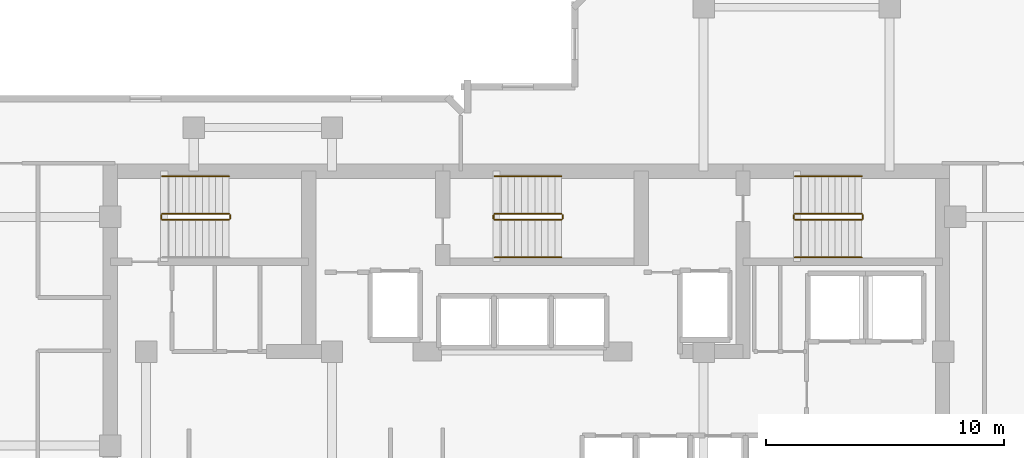
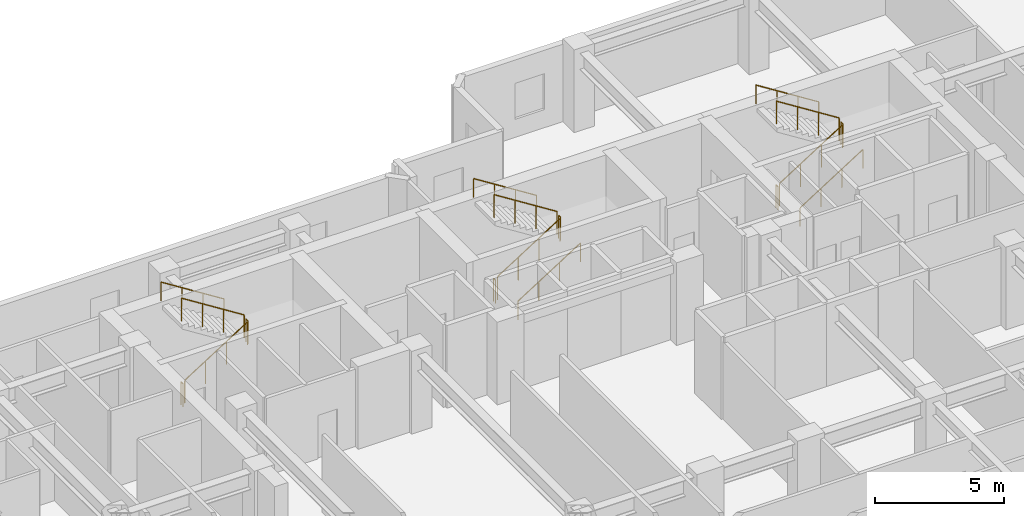
# One storey, part 11 of 11: 17 railings.
"""IFC4 building model written with IfcOpenShell, lengths in metres."""

import ifcopenshell
import ifcopenshell.guid

model = None  # the IFC model being written
_history = None  # IfcOwnerHistory: only IFC2X3 demands one
_inside = {}  # id of a spatial element -> (the spatial element, [elements in it])
_under = {}  # id of a project, library or spatial element -> (it, [spatial elements below it])
_declared = {}  # id of a project -> (the project, [libraries it declares])
_typed = {}  # id of a type object -> (the type object, [elements of that type])
_made_of = {}  # id of a material, layer set ... -> (it, [elements and type objects made of it])


def new_model(schema):
    """Start an empty IFC model of exactly this schema.

    Asked for "IFC4X3", IfcOpenShell would pick the latest addendum, in which some entities
    have other attributes; the version numbers below select the first issue.
    IFC2X3 requires an IfcOwnerHistory on every rooted entity: one is made here for all.
    """
    global model, _history
    if schema == "IFC4X3":
        model = ifcopenshell.file(schema_version=(4, 3, 0, 0))
    else:
        model = ifcopenshell.file(schema=schema)
    _inside.clear()
    _under.clear()
    _declared.clear()
    _typed.clear()
    _made_of.clear()
    _history = None
    if model.schema == "IFC2X3":
        org = make("IfcOrganization", Name="unknown")
        user = make(
            "IfcPersonAndOrganization",
            ThePerson=make("IfcPerson", FamilyName="unknown"),
            TheOrganization=org,
        )
        app = make(
            "IfcApplication",
            ApplicationDeveloper=org,
            Version="unknown",
            ApplicationFullName="unknown",
            ApplicationIdentifier="unknown",
        )
        _history = make(
            "IfcOwnerHistory",
            OwningUser=user,
            OwningApplication=app,
            ChangeAction="ADDED",
            CreationDate=0,
        )
    return model


def make(cls, **values):
    """One entity of the class cls with the attributes given. An attribute that is None is left unset."""
    return model.create_entity(
        cls, **{name: value for name, value in values.items() if value is not None}
    )


def rooted(cls, **values):
    """An entity with a GlobalId (a new one), such as an element, a storey or a relation."""
    return make(cls, GlobalId=ifcopenshell.guid.new(), OwnerHistory=_history, **values)


def si_unit(unit_type, name, prefix=None):
    """IfcSIUnit, for example si_unit("LENGTHUNIT", "METRE", prefix="MILLI")."""
    return make("IfcSIUnit", UnitType=unit_type, Prefix=prefix, Name=name)


def assignment(units):
    """IfcUnitAssignment: the units of a project."""
    return None if units is None else make("IfcUnitAssignment", Units=units)


def point(xyz):
    """IfcCartesianPoint."""
    return None if xyz is None else make("IfcCartesianPoint", Coordinates=xyz)


def direction(xyz):
    """IfcDirection."""
    return None if xyz is None else make("IfcDirection", DirectionRatios=xyz)


def frame(location, z_axis=None, x_axis=None):
    """IfcAxis2Placement3D, a coordinate frame: its origin and axes. An axis left out is left unset."""
    return make(
        "IfcAxis2Placement3D",
        Location=point(location),
        Axis=direction(z_axis),
        RefDirection=direction(x_axis),
    )


def frame_2d(location, x_axis=None):
    """IfcAxis2Placement2D, a coordinate frame in the plane: its origin and x axis."""
    return make(
        "IfcAxis2Placement2D", Location=point(location), RefDirection=direction(x_axis)
    )


def origin():
    """The frame at (0, 0, 0) with its axes left unset."""
    return frame((0.0, 0.0, 0.0))


def origin_2d():
    """The frame at (0, 0) in the plane with its x axis left unset."""
    return frame_2d((0.0, 0.0))


def place(relative_to, where):
    """IfcLocalPlacement: puts the frame where relative to a parent placement (None: the world)."""
    return make(
        "IfcLocalPlacement", PlacementRelTo=relative_to, RelativePlacement=where
    )


def context(
    kind, dimensions, precision=None, world=None, true_north=None, identifier=None
):
    """IfcGeometricRepresentationContext, for example the 3D "Model" context."""
    return make(
        "IfcGeometricRepresentationContext",
        ContextIdentifier=identifier,
        ContextType=kind,
        CoordinateSpaceDimension=dimensions,
        Precision=precision,
        WorldCoordinateSystem=world,
        TrueNorth=true_north,
    )


def subcontext(parent, identifier, kind, view, scale=None):
    """IfcGeometricRepresentationSubContext, for example "Body" below "Model"."""
    return make(
        "IfcGeometricRepresentationSubContext",
        ContextIdentifier=identifier,
        ContextType=kind,
        ParentContext=parent,
        TargetScale=scale,
        TargetView=view,
    )


def project(units=None, contexts=None):
    """IfcProject with its units and contexts."""
    return rooted(
        "IfcProject",
        Name="project",
        RepresentationContexts=contexts,
        UnitsInContext=assignment(units),
    )


def spatial(cls, under=None, at=None, **own):
    """A site, building, storey or space (cls), placed at a placement, below another one or the project."""
    s = rooted(cls, ObjectPlacement=at, **own)
    if under is not None:
        _under.setdefault(under.id(), (under, []))[1].append(s)
    return s


def profile(cls, at=None, kind="AREA", **sizes):
    """A parametric profile (cls). Its sizes go by their IFC names, for example OverallWidth=200.0."""
    return make(cls, ProfileType=kind, Position=at, **sizes)


def circle(**sizes):
    """IfcCircleProfileDef."""
    return profile("IfcCircleProfileDef", **sizes)


def extrude(swept, where, along, depth):
    """IfcExtrudedAreaSolid: the profile swept, set in the frame where, extruded along a direction by depth."""
    return make(
        "IfcExtrudedAreaSolid",
        SweptArea=swept,
        Position=where,
        ExtrudedDirection=direction(along),
        Depth=depth,
    )


def shape(context_of_items, identifier, shape_type, items):
    """IfcShapeRepresentation: the items that make up one representation, for example the "Body"."""
    return make(
        "IfcShapeRepresentation",
        ContextOfItems=context_of_items,
        RepresentationIdentifier=identifier,
        RepresentationType=shape_type,
        Items=items,
    )


def material(Name=None, Category=None):
    """IfcMaterial."""
    return make("IfcMaterial", Name=Name, Category=Category)


def made_of(thing, what):
    """Note that an element or type object is made of a material, layer set ...; save() writes the relation."""
    if what is not None:
        _made_of.setdefault(what.id(), (what, []))[1].append(thing)
    return thing


def type_object(cls, material=None, **own):
    """A type object (cls), such as IfcWallType, which elements share."""
    return made_of(rooted(cls, **own), material)


def element(
    cls,
    number,
    at=None,
    inside=None,
    cuts=None,
    type_object=None,
    material=None,
    context=None,
    identifier="Body",
    shape_type=None,
    held_by="IfcProductDefinitionShape",
    body=None,
    shapes=None,
    **own,
):
    """One element of the class cls, such as IfcWall. Its Tag is "e" and its number.

    at: its placement. inside: the storey or other place that contains it. cuts: it is an
    opening in that element (IfcRelVoidsElement). A single representation is given by context,
    identifier, shape_type and body (its items); several are given by shapes. held_by: the class
    of the entity that holds the representations. save() writes the other relations.
    """
    e = rooted(cls, Tag="e%d" % number, ObjectPlacement=at, **own)
    if body is not None:
        shapes = [shape(context, identifier, shape_type, body)]
    if shapes is not None:
        e.Representation = make(held_by, Representations=shapes)
    if inside is not None:
        _inside.setdefault(inside.id(), (inside, []))[1].append(e)
    if cuts is not None:
        rooted(
            "IfcRelVoidsElement", RelatingBuildingElement=cuts, RelatedOpeningElement=e
        )
    if type_object is not None:
        _typed.setdefault(type_object.id(), (type_object, []))[1].append(e)
    return made_of(e, material)


def aggregate(whole, parts):
    """IfcRelAggregates: a whole, such as a stair, and the parts it consists of."""
    return rooted("IfcRelAggregates", RelatingObject=whole, RelatedObjects=parts)


def save(model, path):
    """Write the relations noted so far, then the file.

    IfcRelAggregates (storeys below a building ...), IfcRelContainedInSpatialStructure (elements
    in a storey), IfcRelDefinesByType, IfcRelAssociatesMaterial and IfcRelDeclares: one each for
    every whole, place, type object, material and project.
    """
    for whole, parts in _under.values():
        aggregate(whole, parts)
    for where, things in _inside.values():
        rooted(
            "IfcRelContainedInSpatialStructure",
            RelatedElements=things,
            RelatingStructure=where,
        )
    for kind, things in _typed.values():
        rooted("IfcRelDefinesByType", RelatedObjects=things, RelatingType=kind)
    for what, things in _made_of.values():
        rooted("IfcRelAssociatesMaterial", RelatedObjects=things, RelatingMaterial=what)
    for by, libraries in _declared.values():
        rooted("IfcRelDeclares", RelatingContext=by, RelatedDefinitions=libraries)
    model.write(path)


model = new_model("IFC4")

# Units and contexts
model_context = context("Model", 3, precision=1e-05, world=origin(), true_north=direction((0.0, 1.0)))
body_context = subcontext(model_context, "Body", "Model", "MODEL_VIEW")
ifc_project = project(units=[si_unit("LENGTHUNIT", "METRE"), si_unit("AREAUNIT", "SQUARE_METRE"), si_unit("VOLUMEUNIT", "CUBIC_METRE"), si_unit("PLANEANGLEUNIT", "RADIAN"), si_unit("MASSUNIT", "GRAM", prefix="KILO")], contexts=[model_context])

# Site, building, storey
site_placement = place(None, origin())
site = spatial("IfcSite", under=ifc_project, at=site_placement, CompositionType="ELEMENT")
building_placement = place(site_placement, origin())
building = spatial("IfcBuilding", under=site, at=building_placement, Name="Kestravale Grand Hotel", CompositionType="ELEMENT")
storey_placement = place(building_placement, frame((0.0, 0.0, 204.60009765625)))
storey = spatial("IfcBuildingStorey", under=building, at=storey_placement, Name="L51", CompositionType="ELEMENT", Elevation=204.60009765625)

# Railings
ifc_material_1 = material(Name="Painted tubular steel stair well guard", Category="steel")
railing_type_1 = type_object("IfcRailingType", Name="RL-ST-GRD1100", PredefinedType="GUARDRAIL", material=ifc_material_1)
railing_1_placement = place(storey_placement, frame((24.080078125, 38.280029296875, 0.17724609375)))
element("IfcRailing", 1, at=railing_1_placement, inside=storey, type_object=railing_type_1, Name="L51 ST-1 stair guard 1", PredefinedType="GUARDRAIL", context=body_context, shape_type="SweptSolid", body=[
    extrude(circle(Radius=0.02392578125, at=origin_2d()), frame((0.0, 0.0, 1.076171875), z_axis=(0.844887892834, 0.0, 0.53494340686), x_axis=(0.0, 1.0, 0.0)), (0.0, 0.0, 1.0), 3.313720703125),
    extrude(circle(Radius=0.02099609375, at=origin_2d()), origin(), (0.0, 0.0, 1.0), 1.052001953125),
    extrude(circle(Radius=0.02099609375, at=origin_2d()), frame((0.933349609375, 0.0, 0.5908203125)), (0.0, 0.0, 1.0), 1.052001953125),
    extrude(circle(Radius=0.02099609375, at=origin_2d()), frame((1.866455078125, 0.0, 1.181884765625)), (0.0, 0.0, 1.0), 1.052001953125),
    extrude(circle(Radius=0.02099609375, at=origin_2d()), frame((2.7998046875, 0.0, 1.772705078125)), (0.0, 0.0, 1.0), 1.052001953125),
])
railing_2_placement = place(storey_placement, frame((26.929931640625, 38.330078125, 1.949951171875)))
element("IfcRailing", 2, at=railing_2_placement, inside=storey, type_object=railing_type_1, Name="L51 ST-1 stair guard 2", PredefinedType="GUARDRAIL", context=body_context, shape_type="SweptSolid", body=[
    extrude(circle(Radius=0.02392578125, at=origin_2d()), frame((0.0, 0.0, 1.076171875), z_axis=(0.0, 1.0, 0.0), x_axis=(-1.0, 0.0, 0.0)), (0.0, 0.0, 1.0), 0.14990234375),
    extrude(circle(Radius=0.02099609375, at=origin_2d()), origin(), (0.0, 0.0, 1.0), 1.052001953125),
    extrude(circle(Radius=0.02099609375, at=origin_2d()), frame((0.0, 0.14990234375, 0.0)), (0.0, 0.0, 1.0), 1.052001953125),
])
railing_3_placement = place(storey_placement, frame((26.8798828125, 38.530029296875, 2.127197265625)))
element("IfcRailing", 3, at=railing_3_placement, inside=storey, type_object=railing_type_1, Name="L51 ST-1 stair guard 3", PredefinedType="GUARDRAIL", context=body_context, shape_type="SweptSolid", body=[
    extrude(circle(Radius=0.02392578125, at=origin_2d()), frame((0.0, 0.0, 1.076171875), z_axis=(-0.844887892834, 0.0, 0.53494340686), x_axis=(0.0, -1.0, 0.0)), (0.0, 0.0, 1.0), 3.313720703125),
    extrude(circle(Radius=0.02099609375, at=origin_2d()), origin(), (0.0, 0.0, 1.0), 1.052001953125),
    extrude(circle(Radius=0.02099609375, at=origin_2d()), frame((-0.933349609375, 0.0, 0.5908203125)), (0.0, 0.0, 1.0), 1.052001953125),
    extrude(circle(Radius=0.02099609375, at=origin_2d()), frame((-1.866455078125, 0.0, 1.181884765625)), (0.0, 0.0, 1.0), 1.052001953125),
    extrude(circle(Radius=0.02099609375, at=origin_2d()), frame((-2.7998046875, 0.0, 1.772705078125)), (0.0, 0.0, 1.0), 1.052001953125),
])
railing_4_placement = place(storey_placement, frame((24.030029296875, 38.330078125, 0.0)))
element("IfcRailing", 4, at=railing_4_placement, inside=storey, type_object=railing_type_1, Name="L51 ST-1 stair guard 4", PredefinedType="GUARDRAIL", context=body_context, shape_type="SweptSolid", body=[
    extrude(circle(Radius=0.02392578125, at=origin_2d()), frame((0.0, 0.0, 1.076171875), z_axis=(0.0, 1.0, 0.0), x_axis=(-1.0, 0.0, 0.0)), (0.0, 0.0, 1.0), 0.14990234375),
    extrude(circle(Radius=0.02099609375, at=origin_2d()), origin(), (0.0, 0.0, 1.0), 1.052001953125),
    extrude(circle(Radius=0.02099609375, at=origin_2d()), frame((0.0, 0.14990234375, 0.0)), (0.0, 0.0, 1.0), 1.052001953125),
])
railing_5_placement = place(storey_placement, frame((38.030029296875, 38.280029296875, 0.17724609375)))
element("IfcRailing", 5, at=railing_5_placement, inside=storey, type_object=railing_type_1, Name="L51 ST-2 stair guard 1", PredefinedType="GUARDRAIL", context=body_context, shape_type="SweptSolid", body=[
    extrude(circle(Radius=0.02392578125, at=origin_2d()), frame((0.0, 0.0, 1.076171875), z_axis=(0.844908973607, 0.0, 0.534910110503), x_axis=(0.0, 1.0, 0.0)), (0.0, 0.0, 1.0), 3.31396484375),
    extrude(circle(Radius=0.02099609375, at=origin_2d()), origin(), (0.0, 0.0, 1.0), 1.052001953125),
    extrude(circle(Radius=0.02099609375, at=origin_2d()), frame((0.933349609375, 0.0, 0.5908203125)), (0.0, 0.0, 1.0), 1.052001953125),
    extrude(circle(Radius=0.02099609375, at=origin_2d()), frame((1.86669921875, 0.0, 1.181884765625)), (0.0, 0.0, 1.0), 1.052001953125),
    extrude(circle(Radius=0.02099609375, at=origin_2d()), frame((2.800048828125, 0.0, 1.772705078125)), (0.0, 0.0, 1.0), 1.052001953125),
])
railing_6_placement = place(storey_placement, frame((40.8798828125, 38.330078125, 1.949951171875)))
element("IfcRailing", 6, at=railing_6_placement, inside=storey, type_object=railing_type_1, Name="L51 ST-2 stair guard 2", PredefinedType="GUARDRAIL", context=body_context, shape_type="SweptSolid", body=[
    extrude(circle(Radius=0.02392578125, at=origin_2d()), frame((0.0, 0.0, 1.076171875), z_axis=(0.0, 1.0, 0.0), x_axis=(-1.0, 0.0, 0.0)), (0.0, 0.0, 1.0), 0.14990234375),
    extrude(circle(Radius=0.02099609375, at=origin_2d()), origin(), (0.0, 0.0, 1.0), 1.052001953125),
    extrude(circle(Radius=0.02099609375, at=origin_2d()), frame((0.0, 0.14990234375, 0.0)), (0.0, 0.0, 1.0), 1.052001953125),
])
railing_7_placement = place(storey_placement, frame((40.830078125, 38.530029296875, 2.127197265625)))
element("IfcRailing", 7, at=railing_7_placement, inside=storey, type_object=railing_type_1, Name="L51 ST-2 stair guard 3", PredefinedType="GUARDRAIL", context=body_context, shape_type="SweptSolid", body=[
    extrude(circle(Radius=0.02392578125, at=origin_2d()), frame((0.0, 0.0, 1.076171875), z_axis=(-0.844908973607, 0.0, 0.534910110503), x_axis=(0.0, -1.0, 0.0)), (0.0, 0.0, 1.0), 3.31396484375),
    extrude(circle(Radius=0.02099609375, at=origin_2d()), origin(), (0.0, 0.0, 1.0), 1.052001953125),
    extrude(circle(Radius=0.02099609375, at=origin_2d()), frame((-0.933349609375, 0.0, 0.5908203125)), (0.0, 0.0, 1.0), 1.052001953125),
    extrude(circle(Radius=0.02099609375, at=origin_2d()), frame((-1.86669921875, 0.0, 1.181884765625)), (0.0, 0.0, 1.0), 1.052001953125),
    extrude(circle(Radius=0.02099609375, at=origin_2d()), frame((-2.800048828125, 0.0, 1.772705078125)), (0.0, 0.0, 1.0), 1.052001953125),
])
railing_8_placement = place(storey_placement, frame((37.97998046875, 38.330078125, 0.0)))
element("IfcRailing", 8, at=railing_8_placement, inside=storey, type_object=railing_type_1, Name="L51 ST-2 stair guard 4", PredefinedType="GUARDRAIL", context=body_context, shape_type="SweptSolid", body=[
    extrude(circle(Radius=0.02392578125, at=origin_2d()), frame((0.0, 0.0, 1.076171875), z_axis=(0.0, 1.0, 0.0), x_axis=(-1.0, 0.0, 0.0)), (0.0, 0.0, 1.0), 0.14990234375),
    extrude(circle(Radius=0.02099609375, at=origin_2d()), origin(), (0.0, 0.0, 1.0), 1.052001953125),
    extrude(circle(Radius=0.02099609375, at=origin_2d()), frame((0.0, 0.14990234375, 0.0)), (0.0, 0.0, 1.0), 1.052001953125),
])
railing_9_placement = place(storey_placement, frame((50.6298828125, 38.280029296875, 0.17724609375)))
element("IfcRailing", 9, at=railing_9_placement, inside=storey, type_object=railing_type_1, Name="L51 ST-3 stair guard 1", PredefinedType="GUARDRAIL", context=body_context, shape_type="SweptSolid", body=[
    extrude(circle(Radius=0.02392578125, at=origin_2d()), frame((0.0, 0.0, 1.076171875), z_axis=(0.844908973607, 0.0, 0.534910110503), x_axis=(0.0, 1.0, 0.0)), (0.0, 0.0, 1.0), 3.31396484375),
    extrude(circle(Radius=0.02099609375, at=origin_2d()), origin(), (0.0, 0.0, 1.0), 1.052001953125),
    extrude(circle(Radius=0.02099609375, at=origin_2d()), frame((0.933349609375, 0.0, 0.5908203125)), (0.0, 0.0, 1.0), 1.052001953125),
    extrude(circle(Radius=0.02099609375, at=origin_2d()), frame((1.86669921875, 0.0, 1.181884765625)), (0.0, 0.0, 1.0), 1.052001953125),
    extrude(circle(Radius=0.02099609375, at=origin_2d()), frame((2.800048828125, 0.0, 1.772705078125)), (0.0, 0.0, 1.0), 1.052001953125),
])
railing_10_placement = place(storey_placement, frame((53.47998046875, 38.330078125, 1.949951171875)))
element("IfcRailing", 10, at=railing_10_placement, inside=storey, type_object=railing_type_1, Name="L51 ST-3 stair guard 2", PredefinedType="GUARDRAIL", context=body_context, shape_type="SweptSolid", body=[
    extrude(circle(Radius=0.02392578125, at=origin_2d()), frame((0.0, 0.0, 1.076171875), z_axis=(0.0, 1.0, 0.0), x_axis=(-1.0, 0.0, 0.0)), (0.0, 0.0, 1.0), 0.14990234375),
    extrude(circle(Radius=0.02099609375, at=origin_2d()), origin(), (0.0, 0.0, 1.0), 1.052001953125),
    extrude(circle(Radius=0.02099609375, at=origin_2d()), frame((0.0, 0.14990234375, 0.0)), (0.0, 0.0, 1.0), 1.052001953125),
])
railing_11_placement = place(storey_placement, frame((53.429931640625, 38.530029296875, 2.127197265625)))
element("IfcRailing", 11, at=railing_11_placement, inside=storey, type_object=railing_type_1, Name="L51 ST-3 stair guard 3", PredefinedType="GUARDRAIL", context=body_context, shape_type="SweptSolid", body=[
    extrude(circle(Radius=0.02392578125, at=origin_2d()), frame((0.0, 0.0, 1.076171875), z_axis=(-0.844908973607, 0.0, 0.534910110503), x_axis=(0.0, -1.0, 0.0)), (0.0, 0.0, 1.0), 3.31396484375),
    extrude(circle(Radius=0.02099609375, at=origin_2d()), origin(), (0.0, 0.0, 1.0), 1.052001953125),
    extrude(circle(Radius=0.02099609375, at=origin_2d()), frame((-0.933349609375, 0.0, 0.5908203125)), (0.0, 0.0, 1.0), 1.052001953125),
    extrude(circle(Radius=0.02099609375, at=origin_2d()), frame((-1.86669921875, 0.0, 1.181884765625)), (0.0, 0.0, 1.0), 1.052001953125),
    extrude(circle(Radius=0.02099609375, at=origin_2d()), frame((-2.800048828125, 0.0, 1.772705078125)), (0.0, 0.0, 1.0), 1.052001953125),
])
railing_12_placement = place(storey_placement, frame((50.580078125, 38.330078125, 0.0)))
element("IfcRailing", 12, at=railing_12_placement, inside=storey, type_object=railing_type_1, Name="L51 ST-3 stair guard 4", PredefinedType="GUARDRAIL", context=body_context, shape_type="SweptSolid", body=[
    extrude(circle(Radius=0.02392578125, at=origin_2d()), frame((0.0, 0.0, 1.076171875), z_axis=(0.0, 1.0, 0.0), x_axis=(-1.0, 0.0, 0.0)), (0.0, 0.0, 1.0), 0.14990234375),
    extrude(circle(Radius=0.02099609375, at=origin_2d()), origin(), (0.0, 0.0, 1.0), 1.052001953125),
    extrude(circle(Radius=0.02099609375, at=origin_2d()), frame((0.0, 0.14990234375, 0.0)), (0.0, 0.0, 1.0), 1.052001953125),
])
ifc_material_2 = material(Name="Brushed stainless steel wall handrail", Category="steel")
railing_type_2 = type_object("IfcRailingType", Name="RL-ST-HND900", PredefinedType="HANDRAIL", material=ifc_material_2)
railing_13_placement = place(storey_placement, frame((26.8798828125, 40.110107421875, 2.127197265625)))
element("IfcRailing", 13, at=railing_13_placement, inside=storey, type_object=railing_type_2, Name="L51 ST-1 stair handrail 2", PredefinedType="HANDRAIL", context=body_context, shape_type="SweptSolid", body=[
    extrude(circle(Radius=0.02392578125, at=origin_2d()), frame((0.0, 0.0, 0.8759765625), z_axis=(-0.844887892834, 0.0, 0.53494340686), x_axis=(0.0, -1.0, 0.0)), (0.0, 0.0, 1.0), 3.313720703125),
    extrude(circle(Radius=0.02099609375, at=origin_2d()), origin(), (0.0, 0.0, 1.0), 0.851806640625),
    extrude(circle(Radius=0.02099609375, at=origin_2d()), frame((-0.933349609375, 0.0, 0.5908203125)), (0.0, 0.0, 1.0), 0.851806640625),
    extrude(circle(Radius=0.02099609375, at=origin_2d()), frame((-1.866455078125, 0.0, 1.181884765625)), (0.0, 0.0, 1.0), 0.851806640625),
    extrude(circle(Radius=0.02099609375, at=origin_2d()), frame((-2.7998046875, 0.0, 1.772705078125)), (0.0, 0.0, 1.0), 0.851806640625),
])
railing_14_placement = place(storey_placement, frame((38.030029296875, 36.699951171875, 0.17724609375)))
element("IfcRailing", 14, at=railing_14_placement, inside=storey, type_object=railing_type_2, Name="L51 ST-2 stair handrail 1", PredefinedType="HANDRAIL", context=body_context, shape_type="SweptSolid", body=[
    extrude(circle(Radius=0.02392578125, at=origin_2d()), frame((0.0, 0.0, 0.8759765625), z_axis=(0.844908973607, 0.0, 0.534910110503), x_axis=(0.0, 1.0, 0.0)), (0.0, 0.0, 1.0), 3.31396484375),
    extrude(circle(Radius=0.02099609375, at=origin_2d()), origin(), (0.0, 0.0, 1.0), 0.851806640625),
    extrude(circle(Radius=0.02099609375, at=origin_2d()), frame((0.933349609375, 0.0, 0.5908203125)), (0.0, 0.0, 1.0), 0.851806640625),
    extrude(circle(Radius=0.02099609375, at=origin_2d()), frame((1.86669921875, 0.0, 1.181884765625)), (0.0, 0.0, 1.0), 0.851806640625),
    extrude(circle(Radius=0.02099609375, at=origin_2d()), frame((2.800048828125, 0.0, 1.772705078125)), (0.0, 0.0, 1.0), 0.851806640625),
])
railing_15_placement = place(storey_placement, frame((40.830078125, 40.110107421875, 2.127197265625)))
element("IfcRailing", 15, at=railing_15_placement, inside=storey, type_object=railing_type_2, Name="L51 ST-2 stair handrail 2", PredefinedType="HANDRAIL", context=body_context, shape_type="SweptSolid", body=[
    extrude(circle(Radius=0.02392578125, at=origin_2d()), frame((0.0, 0.0, 0.8759765625), z_axis=(-0.844908973607, 0.0, 0.534910110503), x_axis=(0.0, -1.0, 0.0)), (0.0, 0.0, 1.0), 3.31396484375),
    extrude(circle(Radius=0.02099609375, at=origin_2d()), origin(), (0.0, 0.0, 1.0), 0.851806640625),
    extrude(circle(Radius=0.02099609375, at=origin_2d()), frame((-0.933349609375, 0.0, 0.5908203125)), (0.0, 0.0, 1.0), 0.851806640625),
    extrude(circle(Radius=0.02099609375, at=origin_2d()), frame((-1.86669921875, 0.0, 1.181884765625)), (0.0, 0.0, 1.0), 0.851806640625),
    extrude(circle(Radius=0.02099609375, at=origin_2d()), frame((-2.800048828125, 0.0, 1.772705078125)), (0.0, 0.0, 1.0), 0.851806640625),
])
railing_16_placement = place(storey_placement, frame((50.6298828125, 36.699951171875, 0.17724609375)))
element("IfcRailing", 16, at=railing_16_placement, inside=storey, type_object=railing_type_2, Name="L51 ST-3 stair handrail 1", PredefinedType="HANDRAIL", context=body_context, shape_type="SweptSolid", body=[
    extrude(circle(Radius=0.02392578125, at=origin_2d()), frame((0.0, 0.0, 0.8759765625), z_axis=(0.844908973607, 0.0, 0.534910110503), x_axis=(0.0, 1.0, 0.0)), (0.0, 0.0, 1.0), 3.31396484375),
    extrude(circle(Radius=0.02099609375, at=origin_2d()), origin(), (0.0, 0.0, 1.0), 0.851806640625),
    extrude(circle(Radius=0.02099609375, at=origin_2d()), frame((0.933349609375, 0.0, 0.5908203125)), (0.0, 0.0, 1.0), 0.851806640625),
    extrude(circle(Radius=0.02099609375, at=origin_2d()), frame((1.86669921875, 0.0, 1.181884765625)), (0.0, 0.0, 1.0), 0.851806640625),
    extrude(circle(Radius=0.02099609375, at=origin_2d()), frame((2.800048828125, 0.0, 1.772705078125)), (0.0, 0.0, 1.0), 0.851806640625),
])
railing_17_placement = place(storey_placement, frame((53.429931640625, 40.110107421875, 2.127197265625)))
element("IfcRailing", 17, at=railing_17_placement, inside=storey, type_object=railing_type_2, Name="L51 ST-3 stair handrail 2", PredefinedType="HANDRAIL", context=body_context, shape_type="SweptSolid", body=[
    extrude(circle(Radius=0.02392578125, at=origin_2d()), frame((0.0, 0.0, 0.8759765625), z_axis=(-0.844908973607, 0.0, 0.534910110503), x_axis=(0.0, -1.0, 0.0)), (0.0, 0.0, 1.0), 3.31396484375),
    extrude(circle(Radius=0.02099609375, at=origin_2d()), origin(), (0.0, 0.0, 1.0), 0.851806640625),
    extrude(circle(Radius=0.02099609375, at=origin_2d()), frame((-0.933349609375, 0.0, 0.5908203125)), (0.0, 0.0, 1.0), 0.851806640625),
    extrude(circle(Radius=0.02099609375, at=origin_2d()), frame((-1.86669921875, 0.0, 1.181884765625)), (0.0, 0.0, 1.0), 0.851806640625),
    extrude(circle(Radius=0.02099609375, at=origin_2d()), frame((-2.800048828125, 0.0, 1.772705078125)), (0.0, 0.0, 1.0), 0.851806640625),
])

save(model, "model.ifc")
